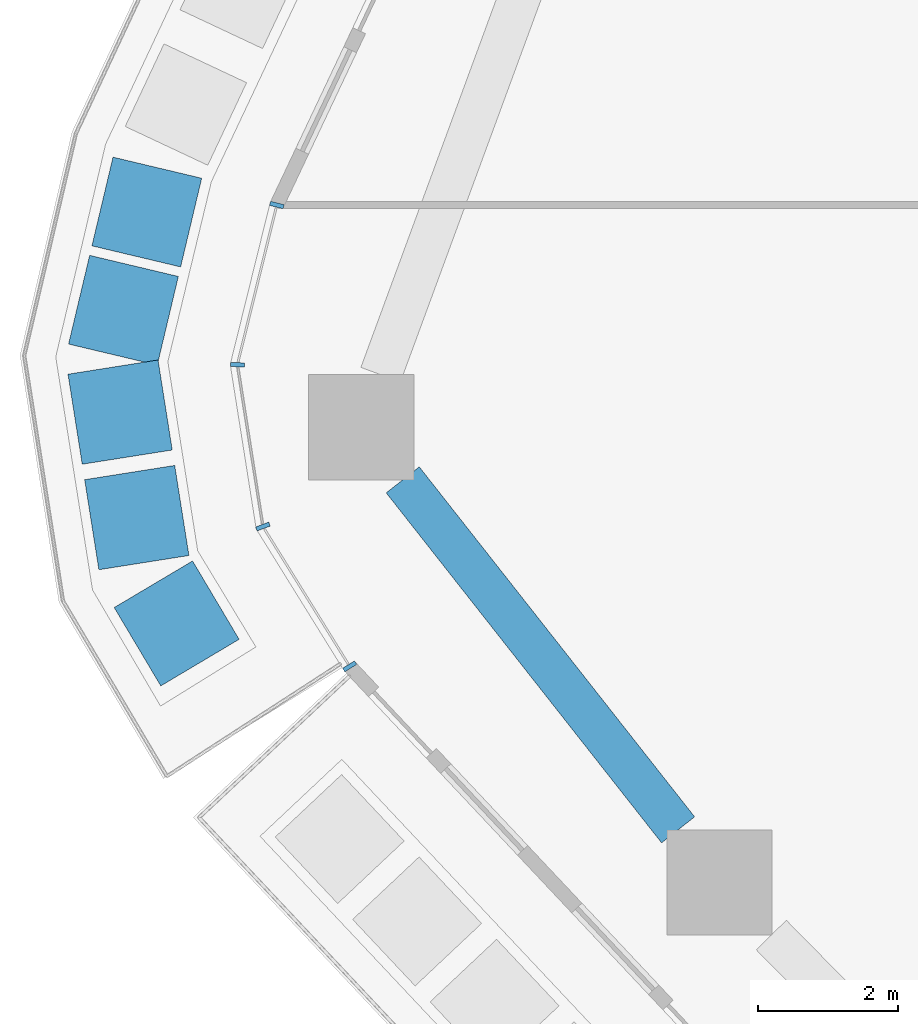
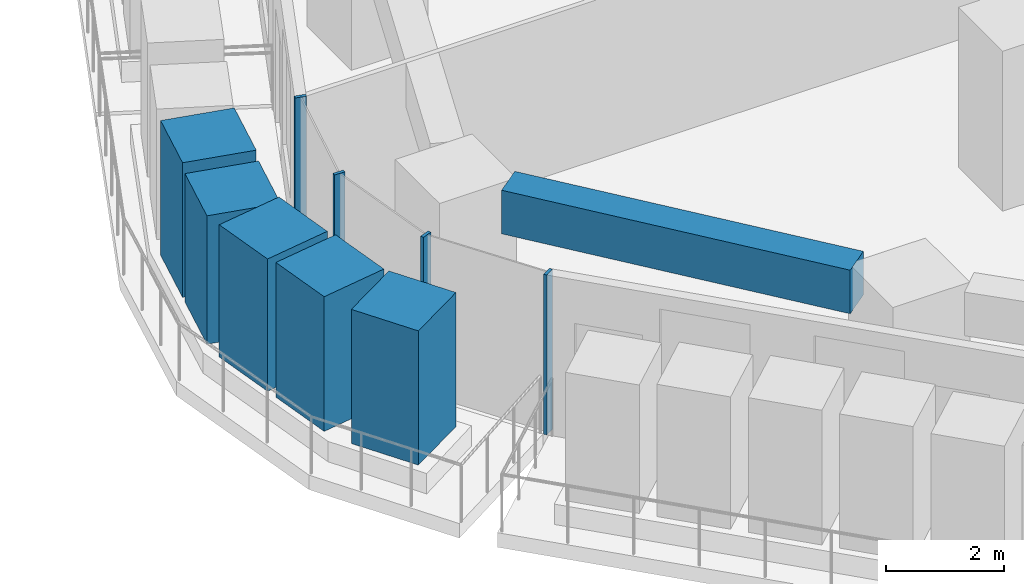
# One storey, part 3 of 25: 9 members, 1 beam, 1 element without a shape of its own.
"""IFC4 building model written with IfcOpenShell, lengths in metres."""

import ifcopenshell
import ifcopenshell.guid

model = None  # the IFC model being written
_history = None  # IfcOwnerHistory: only IFC2X3 demands one
_inside = {}  # id of a spatial element -> (the spatial element, [elements in it])
_under = {}  # id of a project, library or spatial element -> (it, [spatial elements below it])
_declared = {}  # id of a project -> (the project, [libraries it declares])
_typed = {}  # id of a type object -> (the type object, [elements of that type])
_made_of = {}  # id of a material, layer set ... -> (it, [elements and type objects made of it])


def new_model(schema):
    """Start an empty IFC model of exactly this schema.

    Asked for "IFC4X3", IfcOpenShell would pick the latest addendum, in which some entities
    have other attributes; the version numbers below select the first issue.
    IFC2X3 requires an IfcOwnerHistory on every rooted entity: one is made here for all.
    """
    global model, _history
    if schema == "IFC4X3":
        model = ifcopenshell.file(schema_version=(4, 3, 0, 0))
    else:
        model = ifcopenshell.file(schema=schema)
    _inside.clear()
    _under.clear()
    _declared.clear()
    _typed.clear()
    _made_of.clear()
    _history = None
    if model.schema == "IFC2X3":
        org = make("IfcOrganization", Name="unknown")
        user = make(
            "IfcPersonAndOrganization",
            ThePerson=make("IfcPerson", FamilyName="unknown"),
            TheOrganization=org,
        )
        app = make(
            "IfcApplication",
            ApplicationDeveloper=org,
            Version="unknown",
            ApplicationFullName="unknown",
            ApplicationIdentifier="unknown",
        )
        _history = make(
            "IfcOwnerHistory",
            OwningUser=user,
            OwningApplication=app,
            ChangeAction="ADDED",
            CreationDate=0,
        )
    return model


def make(cls, **values):
    """One entity of the class cls with the attributes given. An attribute that is None is left unset."""
    return model.create_entity(
        cls, **{name: value for name, value in values.items() if value is not None}
    )


def rooted(cls, **values):
    """An entity with a GlobalId (a new one), such as an element, a storey or a relation."""
    return make(cls, GlobalId=ifcopenshell.guid.new(), OwnerHistory=_history, **values)


def si_unit(unit_type, name, prefix=None):
    """IfcSIUnit, for example si_unit("LENGTHUNIT", "METRE", prefix="MILLI")."""
    return make("IfcSIUnit", UnitType=unit_type, Prefix=prefix, Name=name)


def assignment(units):
    """IfcUnitAssignment: the units of a project."""
    return None if units is None else make("IfcUnitAssignment", Units=units)


def point(xyz):
    """IfcCartesianPoint."""
    return None if xyz is None else make("IfcCartesianPoint", Coordinates=xyz)


def direction(xyz):
    """IfcDirection."""
    return None if xyz is None else make("IfcDirection", DirectionRatios=xyz)


def frame(location, z_axis=None, x_axis=None):
    """IfcAxis2Placement3D, a coordinate frame: its origin and axes. An axis left out is left unset."""
    return make(
        "IfcAxis2Placement3D",
        Location=point(location),
        Axis=direction(z_axis),
        RefDirection=direction(x_axis),
    )


def frame_2d(location, x_axis=None):
    """IfcAxis2Placement2D, a coordinate frame in the plane: its origin and x axis."""
    return make(
        "IfcAxis2Placement2D", Location=point(location), RefDirection=direction(x_axis)
    )


def origin():
    """The frame at (0, 0, 0) with its axes left unset."""
    return frame((0.0, 0.0, 0.0))


def origin_2d():
    """The frame at (0, 0) in the plane with its x axis left unset."""
    return frame_2d((0.0, 0.0))


def place(relative_to, where):
    """IfcLocalPlacement: puts the frame where relative to a parent placement (None: the world)."""
    return make(
        "IfcLocalPlacement", PlacementRelTo=relative_to, RelativePlacement=where
    )


def context(
    kind, dimensions, precision=None, world=None, true_north=None, identifier=None
):
    """IfcGeometricRepresentationContext, for example the 3D "Model" context."""
    return make(
        "IfcGeometricRepresentationContext",
        ContextIdentifier=identifier,
        ContextType=kind,
        CoordinateSpaceDimension=dimensions,
        Precision=precision,
        WorldCoordinateSystem=world,
        TrueNorth=true_north,
    )


def subcontext(parent, identifier, kind, view, scale=None):
    """IfcGeometricRepresentationSubContext, for example "Body" below "Model"."""
    return make(
        "IfcGeometricRepresentationSubContext",
        ContextIdentifier=identifier,
        ContextType=kind,
        ParentContext=parent,
        TargetScale=scale,
        TargetView=view,
    )


def project(units=None, contexts=None):
    """IfcProject with its units and contexts."""
    return rooted(
        "IfcProject",
        Name="project",
        RepresentationContexts=contexts,
        UnitsInContext=assignment(units),
    )


def spatial(cls, under=None, at=None, **own):
    """A site, building, storey or space (cls), placed at a placement, below another one or the project."""
    s = rooted(cls, ObjectPlacement=at, **own)
    if under is not None:
        _under.setdefault(under.id(), (under, []))[1].append(s)
    return s


def profile(cls, at=None, kind="AREA", **sizes):
    """A parametric profile (cls). Its sizes go by their IFC names, for example OverallWidth=200.0."""
    return make(cls, ProfileType=kind, Position=at, **sizes)


def rectangle(**sizes):
    """IfcRectangleProfileDef."""
    return profile("IfcRectangleProfileDef", **sizes)


def extrude(swept, where, along, depth):
    """IfcExtrudedAreaSolid: the profile swept, set in the frame where, extruded along a direction by depth."""
    return make(
        "IfcExtrudedAreaSolid",
        SweptArea=swept,
        Position=where,
        ExtrudedDirection=direction(along),
        Depth=depth,
    )


def shape(context_of_items, identifier, shape_type, items):
    """IfcShapeRepresentation: the items that make up one representation, for example the "Body"."""
    return make(
        "IfcShapeRepresentation",
        ContextOfItems=context_of_items,
        RepresentationIdentifier=identifier,
        RepresentationType=shape_type,
        Items=items,
    )


def material(Name=None, Category=None):
    """IfcMaterial."""
    return make("IfcMaterial", Name=Name, Category=Category)


def layer(
    of_material, thickness, ventilated=None, Name=None, Category=None, Priority=None
):
    """IfcMaterialLayer: one layer of a wall or slab, of a material (None: an air gap)."""
    return make(
        "IfcMaterialLayer",
        Material=of_material,
        LayerThickness=thickness,
        IsVentilated=ventilated,
        Name=Name,
        Category=Category,
        Priority=Priority,
    )


def layer_set(layers, Name=None):
    """IfcMaterialLayerSet."""
    return make("IfcMaterialLayerSet", MaterialLayers=layers, LayerSetName=Name)


def material_profile(
    of_material, cross_section, Name=None, Category=None, Priority=None
):
    """IfcMaterialProfile: a cross section and its material."""
    return make(
        "IfcMaterialProfile",
        Name=Name,
        Material=of_material,
        Profile=cross_section,
        Priority=Priority,
        Category=Category,
    )


def profile_set(profiles, Name=None, composite=None):
    """IfcMaterialProfileSet."""
    return make(
        "IfcMaterialProfileSet",
        Name=Name,
        MaterialProfiles=profiles,
        CompositeProfile=composite,
    )


def made_of(thing, what):
    """Note that an element or type object is made of a material, layer set ...; save() writes the relation."""
    if what is not None:
        _made_of.setdefault(what.id(), (what, []))[1].append(thing)
    return thing


def type_object(cls, material=None, **own):
    """A type object (cls), such as IfcWallType, which elements share."""
    return made_of(rooted(cls, **own), material)


def element(
    cls,
    number,
    at=None,
    inside=None,
    cuts=None,
    type_object=None,
    material=None,
    context=None,
    identifier="Body",
    shape_type=None,
    held_by="IfcProductDefinitionShape",
    body=None,
    shapes=None,
    **own,
):
    """One element of the class cls, such as IfcWall. Its Tag is "e" and its number.

    at: its placement. inside: the storey or other place that contains it. cuts: it is an
    opening in that element (IfcRelVoidsElement). A single representation is given by context,
    identifier, shape_type and body (its items); several are given by shapes. held_by: the class
    of the entity that holds the representations. save() writes the other relations.
    """
    e = rooted(cls, Tag="e%d" % number, ObjectPlacement=at, **own)
    if body is not None:
        shapes = [shape(context, identifier, shape_type, body)]
    if shapes is not None:
        e.Representation = make(held_by, Representations=shapes)
    if inside is not None:
        _inside.setdefault(inside.id(), (inside, []))[1].append(e)
    if cuts is not None:
        rooted(
            "IfcRelVoidsElement", RelatingBuildingElement=cuts, RelatedOpeningElement=e
        )
    if type_object is not None:
        _typed.setdefault(type_object.id(), (type_object, []))[1].append(e)
    return made_of(e, material)


def aggregate(whole, parts):
    """IfcRelAggregates: a whole, such as a stair, and the parts it consists of."""
    return rooted("IfcRelAggregates", RelatingObject=whole, RelatedObjects=parts)


def save(model, path):
    """Write the relations noted so far, then the file.

    IfcRelAggregates (storeys below a building ...), IfcRelContainedInSpatialStructure (elements
    in a storey), IfcRelDefinesByType, IfcRelAssociatesMaterial and IfcRelDeclares: one each for
    every whole, place, type object, material and project.
    """
    for whole, parts in _under.values():
        aggregate(whole, parts)
    for where, things in _inside.values():
        rooted(
            "IfcRelContainedInSpatialStructure",
            RelatedElements=things,
            RelatingStructure=where,
        )
    for kind, things in _typed.values():
        rooted("IfcRelDefinesByType", RelatedObjects=things, RelatingType=kind)
    for what, things in _made_of.values():
        rooted("IfcRelAssociatesMaterial", RelatedObjects=things, RelatingMaterial=what)
    for by, libraries in _declared.values():
        rooted("IfcRelDeclares", RelatingContext=by, RelatedDefinitions=libraries)
    model.write(path)


model = new_model("IFC4")

# Units and contexts
model_context = context("Model", 3, precision=1e-05, world=origin(), true_north=direction((0.0, 1.0)))
body_context = subcontext(model_context, "Body", "Model", "MODEL_VIEW")
ifc_project = project(units=[si_unit("LENGTHUNIT", "METRE"), si_unit("AREAUNIT", "SQUARE_METRE"), si_unit("VOLUMEUNIT", "CUBIC_METRE"), si_unit("PLANEANGLEUNIT", "RADIAN"), si_unit("MASSUNIT", "GRAM", prefix="KILO")], contexts=[model_context])

# Site, building, storey
site_placement = place(None, origin())
site = spatial("IfcSite", under=ifc_project, at=site_placement, CompositionType="ELEMENT")
building_placement = place(site_placement, origin())
building = spatial("IfcBuilding", under=site, at=building_placement, Name="Dongbaek Canopy Tower", CompositionType="ELEMENT")
storey_placement = place(building_placement, frame((0.0, 0.0, 77.300048828125)))
storey = spatial("IfcBuildingStorey", under=building, at=storey_placement, Name="L15", CompositionType="ELEMENT", Elevation=77.300048828125)

# Curtain wall, members
ifc_material_1 = material(Name="Aluminium 6063-T6 pale anodised", Category="aluminium")
ifc_layer = layer(ifc_material_1, 0.199951171875)
ifc_layer_set = layer_set([ifc_layer], Name="CW-1 unitised tower curtain wall")
curtain_wall_type = type_object("IfcCurtainWallType", Name="CW-1 unitised tower curtain wall", PredefinedType="NOTDEFINED", material=ifc_layer_set)
curtain_wall_placement = place(storey_placement, origin())
curtain_wall = element("IfcCurtainWall", 1, at=curtain_wall_placement, inside=storey, type_object=curtain_wall_type, Name="CW-1 curtain wall K3.1", PredefinedType="NOTDEFINED")
ifc_material_2 = material(Name="Aluminium 6063-T6 pale anodised", Category="aluminium")
ifc_material_profile_1 = material_profile(ifc_material_2, rectangle(XDim=0.199951171875, YDim=0.06005859375, at=origin_2d()), Name="CW-1 mullion 60 x 200")
ifc_profile_set_1 = profile_set([ifc_material_profile_1], Name="Aluminium 6063-T6 pale anodised")
member_type_1 = type_object("IfcMemberType", Name="CW-1 mullion 60 x 200", PredefinedType="MULLION", material=ifc_profile_set_1)
member_1_placement = place(storey_placement, frame((-38.694091796875, -4.954345703125, 0.0), z_axis=(0.0, 0.0, 1.0), x_axis=(-0.97085301677, 0.239675655478, 0.0)))
member_1 = element("IfcMember", 2, at=member_1_placement, type_object=member_type_1, Name="CW-1 mullion K3.1.1", PredefinedType="MULLION", context=body_context, shape_type="SweptSolid", body=[
    extrude(rectangle(XDim=0.199951171875, YDim=0.06005859375, at=origin_2d()), origin(), (0.0, 0.0, 1.0), 3.300048828125),
])
member_2_placement = place(storey_placement, frame((-39.25634765625, -7.231689453125, 0.0), z_axis=(0.0, 0.0, 1.0), x_axis=(-0.999087775106, 0.042703836285, 0.0)))
member_2 = element("IfcMember", 3, at=member_2_placement, type_object=member_type_1, Name="CW-1 mullion K3.1.2", PredefinedType="MULLION", context=body_context, shape_type="SweptSolid", body=[
    extrude(rectangle(XDim=0.199951171875, YDim=0.06005859375, at=origin_2d()), origin(), (0.0, 0.0, 1.0), 3.300048828125),
])
member_3_placement = place(storey_placement, frame((-38.89208984375, -9.538818359375, 0.0), z_axis=(0.0, 0.0, 1.0), x_axis=(-0.937328736939, -0.348446321415, 0.0)))
member_3 = element("IfcMember", 4, at=member_3_placement, type_object=member_type_1, Name="CW-1 mullion K3.1.3", PredefinedType="MULLION", context=body_context, shape_type="SweptSolid", body=[
    extrude(rectangle(XDim=0.199951171875, YDim=0.06005859375, at=origin_2d()), origin(), (0.0, 0.0, 1.0), 3.300048828125),
])
member_4_placement = place(storey_placement, frame((-37.655517578125, -11.5322265625, 0.0), z_axis=(0.0, 0.0, 1.0), x_axis=(-0.849780295684, -0.527137030635, 0.0)))
member_4 = element("IfcMember", 5, at=member_4_placement, type_object=member_type_1, Name="CW-1 mullion K3.1.4", PredefinedType="MULLION", context=body_context, shape_type="SweptSolid", body=[
    extrude(rectangle(XDim=0.199951171875, YDim=0.06005859375, at=origin_2d()), origin(), (0.0, 0.0, 1.0), 3.300048828125),
])
aggregate(curtain_wall, [member_1, member_2, member_3, member_4])

# Beam
ifc_material_3 = material(Name="Concrete C80", Category="concrete")
ifc_material_profile_2 = material_profile(ifc_material_3, rectangle(XDim=0.60009765625, YDim=0.89990234375, at=origin_2d()), Name="RC EDGE BEAM 600x900 C80")
ifc_profile_set_2 = profile_set([ifc_material_profile_2], Name="Concrete C80")
beam_type = type_object("IfcBeamType", Name="RC EDGE BEAM 600x900 C80", PredefinedType="BEAM", material=ifc_profile_set_2)
beam_placement = place(storey_placement, frame((-32.97216796875, -13.863037109375, 2.849853515625), z_axis=(-0.618386857787, 0.785873841094, 0.0), x_axis=(-0.785873841094, -0.618386857787, 0.0)))
element("IfcBeam", 6, at=beam_placement, inside=storey, type_object=beam_type, Name="EDGEBEAM:L15:07", PredefinedType="BEAM", context=body_context, shape_type="SweptSolid", body=[
    extrude(rectangle(XDim=0.60009765625, YDim=0.89990234375, at=origin_2d()), origin(), (0.0, 0.0, 1.0), 6.349609375),
])

# Members
ifc_material_4 = material(Name="Concrete C40/50 planter mass with planting", Category="concrete")
ifc_material_profile_3 = material_profile(ifc_material_4, rectangle(XDim=1.300048828125, YDim=1.300048828125, at=origin_2d()), Name="Terrace PLANTER shrub mass 1300 x 1300")
ifc_profile_set_3 = profile_set([ifc_material_profile_3], Name="Concrete C40/50 planter mass with planting")
member_type_2 = type_object("IfcMemberType", Name="Terrace PLANTER shrub mass 1300 x 1300", PredefinedType="USERDEFINED", material=ifc_profile_set_3)
member_5_placement = place(storey_placement, frame((-40.54736328125, -5.0546875, 0.419921875), z_axis=(0.0, 0.0, 1.0), x_axis=(-0.972903593789, 0.23121115283, 0.0)))
element("IfcMember", 7, at=member_5_placement, inside=storey, type_object=member_type_2, Name="Planter shrubs L15 6.3", ObjectType="PLANTER", PredefinedType="USERDEFINED", context=body_context, shape_type="SweptSolid", body=[
    extrude(rectangle(XDim=1.300048828125, YDim=1.300048828125, at=origin_2d()), origin(), (0.0, 0.0, 1.0), 2.780029296875),
])
member_6_placement = place(storey_placement, frame((-40.88037109375, -6.455078125, 0.419921875), z_axis=(0.0, 0.0, 1.0), x_axis=(-0.972903593789, 0.23121115283, 0.0)))
element("IfcMember", 8, at=member_6_placement, inside=storey, type_object=member_type_2, Name="Planter shrubs L15 6.4", ObjectType="PLANTER", PredefinedType="USERDEFINED", context=body_context, shape_type="SweptSolid", body=[
    extrude(rectangle(XDim=1.300048828125, YDim=1.300048828125, at=origin_2d()), origin(), (0.0, 0.0, 1.0), 2.650146484375),
])
member_7_placement = place(storey_placement, frame((-40.927978515625, -7.9072265625, 0.419921875), z_axis=(0.0, 0.0, 1.0), x_axis=(-0.987763553943, -0.15595884554, 0.0)))
element("IfcMember", 9, at=member_7_placement, inside=storey, type_object=member_type_2, Name="Planter shrubs L15 6.5", ObjectType="PLANTER", PredefinedType="USERDEFINED", context=body_context, shape_type="SweptSolid", body=[
    extrude(rectangle(XDim=1.300048828125, YDim=1.300048828125, at=origin_2d()), origin(), (0.0, 0.0, 1.0), 2.72998046875),
])
member_8_placement = place(storey_placement, frame((-40.6904296875, -9.4111328125, 0.419921875), z_axis=(0.0, 0.0, 1.0), x_axis=(-0.987763553943, -0.15595884554, 0.0)))
element("IfcMember", 10, at=member_8_placement, inside=storey, type_object=member_type_2, Name="Planter shrubs L15 6.6", ObjectType="PLANTER", PredefinedType="USERDEFINED", context=body_context, shape_type="SweptSolid", body=[
    extrude(rectangle(XDim=1.300048828125, YDim=1.300048828125, at=origin_2d()), origin(), (0.0, 0.0, 1.0), 2.780029296875),
])
member_9_placement = place(storey_placement, frame((-40.121826171875, -10.920166015625, 0.419921875), z_axis=(0.0, 0.0, 1.0), x_axis=(-0.859642672225, -0.510895758535, 0.0)))
element("IfcMember", 11, at=member_9_placement, inside=storey, type_object=member_type_2, Name="Planter shrubs L15 6.7", ObjectType="PLANTER", PredefinedType="USERDEFINED", context=body_context, shape_type="SweptSolid", body=[
    extrude(rectangle(XDim=1.300048828125, YDim=1.300048828125, at=origin_2d()), origin(), (0.0, 0.0, 1.0), 2.77001953125),
])

save(model, "model.ifc")
